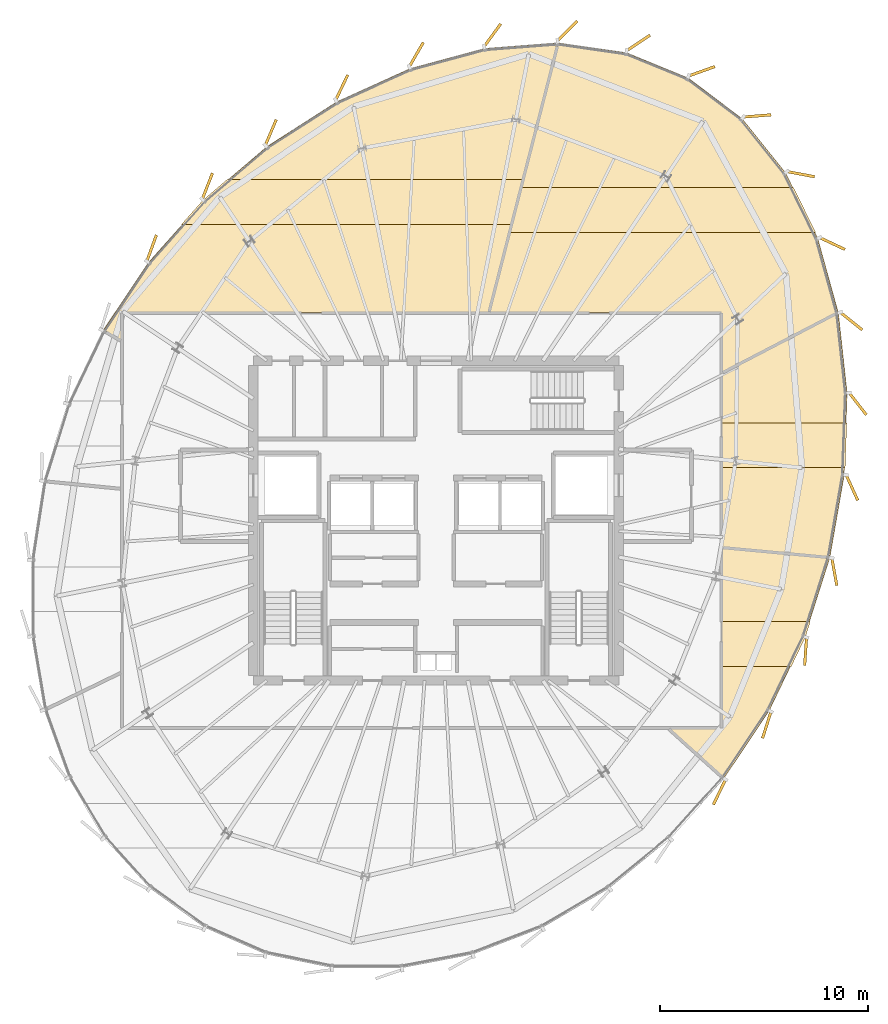
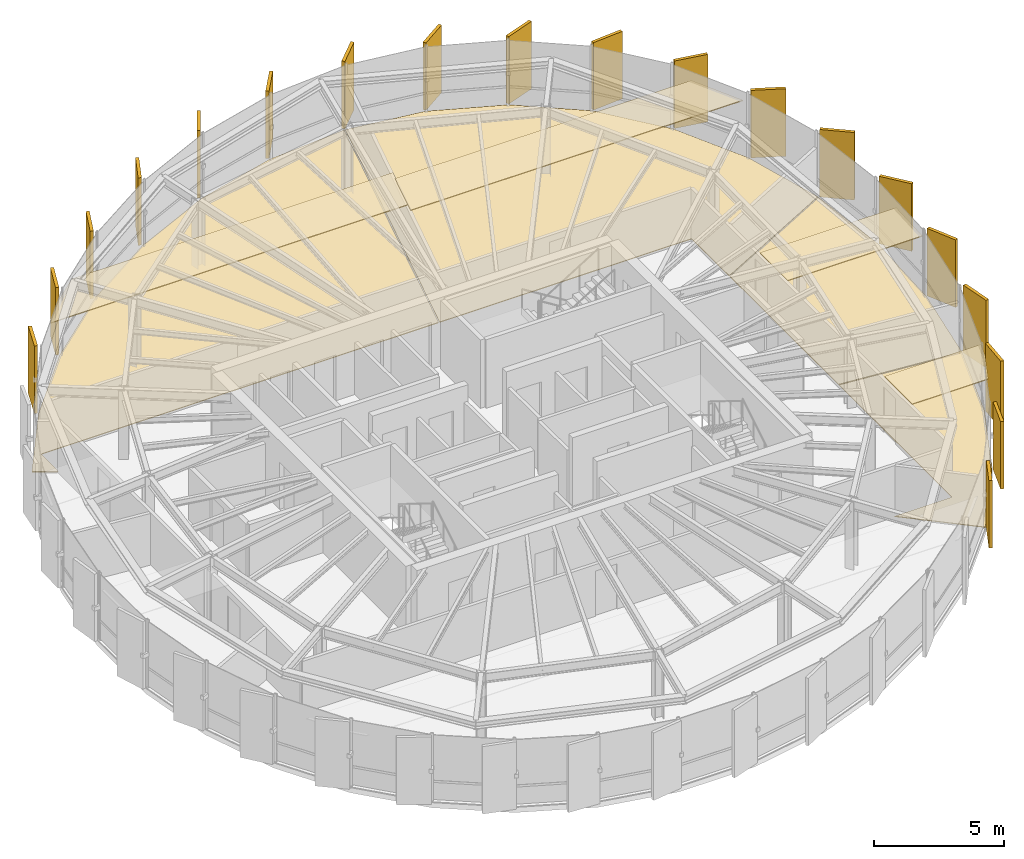
# One storey, part 31 of 31: 27 coverings.
"""IFC4 building model written with IfcOpenShell, lengths in metres."""

from ifc_helpers import new_model, si_unit, direction, frame, origin, origin_2d, place, context, subcontext, project, spatial, polyline, rectangle, outline, extrude, source, transform, mapped, material, layer, layer_set, type_object, element, save


model = new_model("IFC4")

# Units and contexts
model_context = context("Model", 3, precision=1e-05, world=origin(), true_north=direction((0.0, 1.0)))
body_context = subcontext(model_context, "Body", "Model", "MODEL_VIEW")
ifc_project = project(units=[si_unit("LENGTHUNIT", "METRE"), si_unit("AREAUNIT", "SQUARE_METRE"), si_unit("VOLUMEUNIT", "CUBIC_METRE"), si_unit("PLANEANGLEUNIT", "RADIAN"), si_unit("MASSUNIT", "GRAM", prefix="KILO"), si_unit("THERMODYNAMICTEMPERATUREUNIT", "KELVIN")], contexts=[model_context])

# Site, building, storey
site_placement = place(None, origin())
site = spatial("IfcSite", under=ifc_project, at=site_placement, CompositionType="ELEMENT")
building_placement = place(site_placement, origin())
building = spatial("IfcBuilding", under=site, at=building_placement, Name="Kethvar Cultural Tower", CompositionType="ELEMENT")
storey_placement = place(building_placement, frame((0.0, 0.0, 276.699951171875)))
storey = spatial("IfcBuildingStorey", under=building, at=storey_placement, Name="L73", CompositionType="ELEMENT", Elevation=276.699951171875)

# Coverings
ifc_material_1 = material(Name="Acoustic Mineral Fibre Ceiling")
ifc_layer_1 = layer(ifc_material_1, 0.0400390625, Name="Acoustic Mineral Fibre Ceiling")
ifc_layer_set_1 = layer_set([ifc_layer_1], Name="Acoustic Mineral Fibre Ceiling (40 mm)")
covering_type_1 = type_object("IfcCoveringType", Name="CV-ACOUSTIC-CEIL", PredefinedType="CEILING", material=ifc_layer_set_1)
covering_1_placement = place(storey_placement, frame((0.0, 0.0, 2.56005859375)))
element("IfcCovering", 1, at=covering_1_placement, inside=storey, type_object=covering_type_1, Name="L73 Room 02 Acoustic Ceiling Panel", PredefinedType="CEILING", context=body_context, shape_type="SweptSolid", body=[
    extrude(outline(polyline([(64.58740234375, 22.193603515625), (63.912109375, 20.785400390625), (60.530029296875, 20.785400390625), (60.530029296875, 22.935546875), (64.82373046875, 22.935546875), (64.58740234375, 22.193603515625)])), origin(), (0.0, 0.0, 1.0), 0.0400390625),
])
covering_2_placement = place(storey_placement, frame((0.0, 0.0, 2.56005859375)))
element("IfcCovering", 2, at=covering_2_placement, inside=storey, type_object=covering_type_1, Name="L73 Room 03 Acoustic Ceiling Panel", PredefinedType="CEILING", context=body_context, shape_type="SweptSolid", body=[
    extrude(outline(polyline([(66.50537109375, 30.359375), (60.530029296875, 30.359375), (60.530029296875, 32.509521484375), (66.58251953125, 32.509521484375), (66.50537109375, 30.359375)])), origin(), (0.0, 0.0, 1.0), 0.0400390625),
])
covering_3_placement = place(storey_placement, frame((0.0, 0.0, 2.56005859375)))
element("IfcCovering", 3, at=covering_3_placement, inside=storey, type_object=covering_type_1, Name="L73 Room 04 Acoustic Ceiling Panel", PredefinedType="CEILING", context=body_context, shape_type="SweptSolid", body=[
    extrude(outline(polyline([(65.078857421875, 41.68896484375), (50.31103515625, 41.68896484375), (50.857666015625, 43.8388671875), (64.02099609375, 43.8388671875), (65.078857421875, 41.68896484375)])), origin(), (0.0, 0.0, 1.0), 0.0400390625),
])
covering_4_placement = place(storey_placement, frame((0.0, 0.0, 2.56005859375)))
element("IfcCovering", 4, at=covering_4_placement, inside=storey, type_object=covering_type_1, Name="L73 Room 05 Acoustic Ceiling Panel", PredefinedType="CEILING", context=body_context, shape_type="SweptSolid", body=[
    extrude(outline(polyline([(35.5830078125, 43.2412109375), (36.730224609375, 44.220703125), (50.99609375, 44.220703125), (50.449462890625, 42.07080078125), (34.53857421875, 42.07080078125), (35.5830078125, 43.2412109375)])), origin(), (0.0, 0.0, 1.0), 0.0400390625),
])
ifc_material_2 = material(Name="Honed Warm Limestone", Category="masonry")
ifc_layer_2 = layer(ifc_material_2, 0.030029296875, Name="Honed Warm Limestone", Category="masonry")
ifc_layer_set_2 = layer_set([ifc_layer_2], Name="Honed Warm Limestone (30 mm)")
covering_type_2 = type_object("IfcCoveringType", Name="CV-STONE-FLOOR", PredefinedType="FLOORING", material=ifc_layer_set_2)
covering_5_placement = place(storey_placement, origin())
element("IfcCovering", 5, at=covering_5_placement, inside=storey, type_object=covering_type_2, Name="L73 Room 02 Floor Finish", PredefinedType="FLOORING", context=body_context, shape_type="SweptSolid", body=[
    extrude(outline(polyline([(64.55078125, 22.209716796875), (62.843017578125, 18.649169921875), (60.672119140625, 15.40673828125), (58.013427734375, 17.787109375), (60.569091796875, 17.80126953125), (60.570068359375, 26.482177734375), (65.755126953125, 25.99365234375), (64.55078125, 22.209716796875)])), origin(), (0.0, 0.0, 1.0), 0.030029296875),
])
covering_6_placement = place(storey_placement, origin())
element("IfcCovering", 6, at=covering_6_placement, inside=storey, type_object=covering_type_2, Name="L73 Room 03 Floor Finish", PredefinedType="FLOORING", context=body_context, shape_type="SweptSolid", body=[
    extrude(outline(polyline([(66.59423828125, 33.9501953125), (66.451416015625, 29.971435546875), (65.76513671875, 26.03271484375), (60.570068359375, 26.5224609375), (60.570068359375, 34.886474609375), (66.176025390625, 37.780517578125), (66.59423828125, 33.9501953125)])), origin(), (0.0, 0.0, 1.0), 0.030029296875),
])
covering_7_placement = place(storey_placement, origin())
element("IfcCovering", 7, at=covering_7_placement, inside=storey, type_object=covering_type_2, Name="L73 Room 04 Floor Finish", PredefinedType="FLOORING", context=body_context, shape_type="SweptSolid", body=[
    extrude(outline(polyline([(63.625, 44.552978515625), (65.1806640625, 41.3916015625), (66.169189453125, 37.822021484375), (60.570068359375, 34.931396484375), (60.555908203125, 37.81201171875), (49.36669921875, 37.81298828125), (52.6708984375, 50.807861328125), (55.964599609375, 50.337158203125), (58.95556640625, 49.111083984375), (61.533447265625, 47.160400390625), (63.625, 44.552978515625)])), origin(), (0.0, 0.0, 1.0), 0.030029296875),
])
covering_8_placement = place(storey_placement, origin())
element("IfcCovering", 8, at=covering_8_placement, inside=storey, type_object=covering_type_2, Name="L73 Room 05 Floor Finish", PredefinedType="FLOORING", context=body_context, shape_type="SweptSolid", body=[
    extrude(outline(polyline([(32.9521484375, 40.233154296875), (35.61181640625, 43.21337890625), (38.66552734375, 45.820068359375), (42.017822265625, 47.968505859375), (45.552490234375, 49.569580078125), (49.142333984375, 50.539794921875), (52.629638671875, 50.80810546875), (49.325439453125, 37.81298828125), (31.677978515625, 37.81298828125), (31.659912109375, 36.458740234375), (30.76806640625, 36.96728515625), (32.9521484375, 40.233154296875)])), origin(), (0.0, 0.0, 1.0), 0.030029296875),
])
ifc_material_3 = material(Name="Extruded Architectural Terracotta", Category="masonry")
ifc_layer_3 = layer(ifc_material_3, 0.135009765625, Name="Extruded Architectural Terracotta", Category="masonry")
ifc_layer_set_3 = layer_set([ifc_layer_3], Name="Extruded Architectural Terracotta (135 mm)")
covering_type_3 = type_object("IfcCoveringType", Name="Terracotta Facade Fin FIN-03", PredefinedType="CLADDING", material=ifc_layer_set_3)
shared_shape = source(origin(), body_context, "Body", "SweptSolid", [
    extrude(rectangle(XDim=1.35009765625, YDim=0.135009765625, at=origin_2d()), origin(), (0.0, 0.0, 1.0), 3.169921875),
])
for number, where, z_axis, x_axis, name in (
    (9, (59.598388671875, 49.443359375, 0.02001953125), (0.0, 0.0, 1.0), (0.941646918414, 0.336602259413, 0.0), "L73 Vertical Terracotta Fin 1.1"),
    (10, (56.544189453125, 50.80810546875, 0.02001953125), (0.0, 0.0, 1.0), (0.833982140542, 0.551791436375, 0.0), "L73 Vertical Terracotta Fin 1.2"),
    (11, (53.12744140625, 51.386962890625, 0.02001953125), (0.0, 0.0, 1.0), (0.707476924486, 0.70673644403, 0.0), "L73 Vertical Terracotta Fin 1.3"),
    (12, (49.5166015625, 51.181396484375, 0.02001953125), (0.0, 0.0, 1.0), (0.59060566762, 0.806960312144, 0.0), "L73 Vertical Terracotta Fin 1.4"),
    (13, (45.848876953125, 50.246826171875, 0.02001953125), (0.0, 0.0, 1.0), (0.497882410223, 0.867244547743, 0.0), "L73 Vertical Terracotta Fin 1.5"),
    (14, (42.257080078125, 48.662109375, 0.02001953125), (0.0, 0.0, 1.0), (0.432557887958, 0.901606163225, 0.0), "L73 Vertical Terracotta Fin 1.6"),
    (15, (38.83935546875, 46.49462890625, 0.02001953125), (0.0, 0.0, 1.0), (0.392337116604, 0.919821497322, 0.0), "L73 Vertical Terracotta Fin 2.1"),
    (16, (35.78515625, 43.9091796875, 0.02001953125), (0.0, 0.0, 1.0), (0.366014011008, 0.930609340027, 0.0), "L73 Vertical Terracotta Fin 2.2"),
    (17, (33.101318359375, 40.923828125, 0.02001953125), (0.0, 0.0, 1.0), (0.343003999424, 0.939333942951, 0.0), "L73 Vertical Terracotta Fin 2.3"),
    (18, (60.44873046875, 14.72412109375, 0.02001953125), (0.0, 0.0, 1.0), (-0.435231099372, -0.900318771402, 0.0), "L73 Vertical Terracotta Fin 5.3"),
    (19, (62.728271484375, 17.961181640625, 0.02001953125), (0.0, 0.0, 1.0), (-0.302702598633, -0.95308506272, 0.0), "L73 Vertical Terracotta Fin 5.4"),
    (20, (64.59912109375, 21.504638671875, 0.02001953125), (0.0, 0.0, 1.0), (-0.069060025714, -0.997612506361, 0.0), "L73 Vertical Terracotta Fin 5.5"),
    (21, (65.98193359375, 25.33349609375, 0.02001953125), (0.0, 0.0, 1.0), (0.180004123711, -0.983665855587, 0.0), "L73 Vertical Terracotta Fin 5.6"),
    (22, (66.831787109375, 29.3876953125, 0.02001953125), (0.0, 0.0, 1.0), (0.413740106235, -0.910395037603, 0.0), "L73 Vertical Terracotta Fin 6.1"),
    (23, (67.10888671875, 33.42724609375, 0.02001953125), (0.0, 0.0, 1.0), (0.614698279336, -0.788762337705, 0.0), "L73 Vertical Terracotta Fin 6.2"),
    (24, (66.796142578125, 37.410400390625, 0.02001953125), (0.0, 0.0, 1.0), (0.779775226961, -0.62605957817, 0.0), "L73 Vertical Terracotta Fin 6.3"),
    (25, (65.88232421875, 41.147216796875, 0.02001953125), (0.0, 0.0, 1.0), (0.905272431289, -0.424831525605, 0.0), "L73 Vertical Terracotta Fin 6.4"),
    (26, (64.36767578125, 44.48828125, 0.02001953125), (0.0, 0.0, 1.0), (0.98258037664, -0.185838110843, 0.0), "L73 Vertical Terracotta Fin 6.5"),
    (27, (62.268798828125, 47.291748046875, 0.02001953125), (0.0, 0.0, 1.0), (0.996917333733, 0.078459095728, 0.0), "L73 Vertical Terracotta Fin 6.6"),
):
    element("IfcCovering", number, at=place(storey_placement, frame(where, z_axis=z_axis, x_axis=x_axis)), inside=storey, type_object=covering_type_3, Name=name, PredefinedType="CLADDING", context=body_context, shape_type="MappedRepresentation", body=[
        mapped(shared_shape, transform((0.0, 0.0, 0.0), scale=1.0)),
    ])

save(model, "model.ifc")
